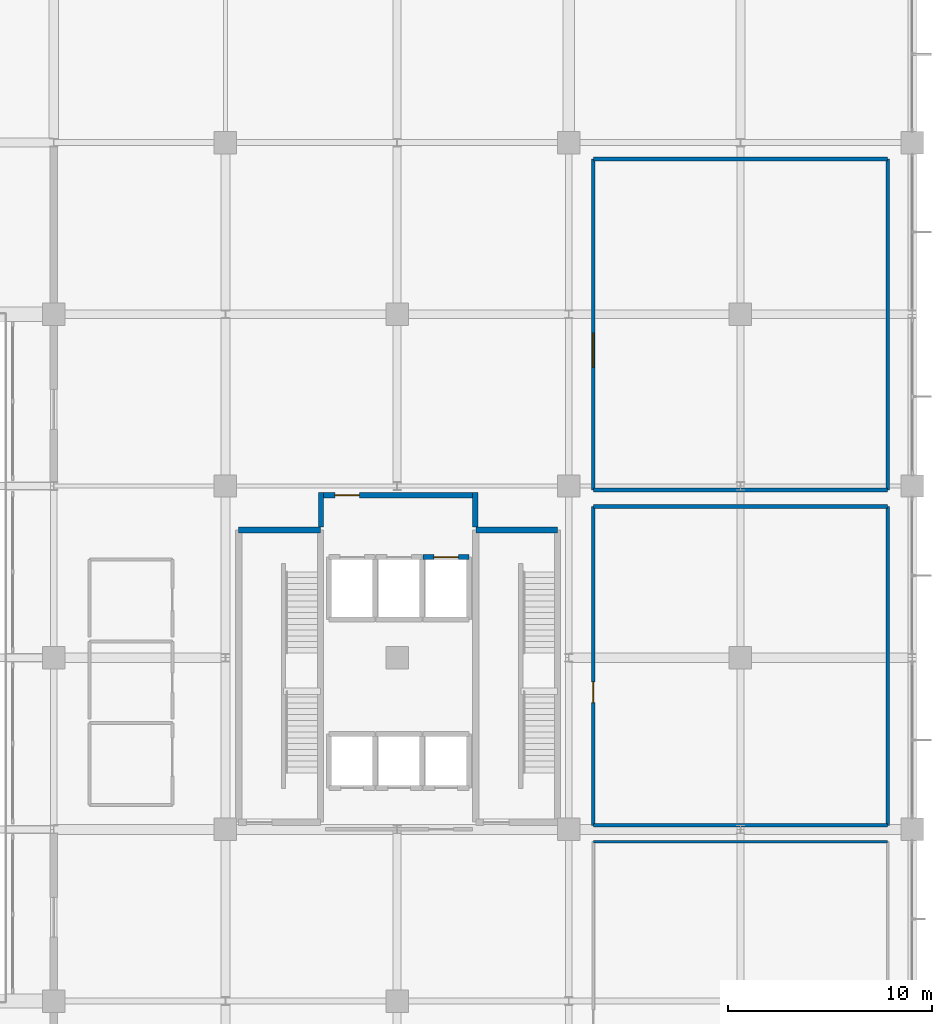
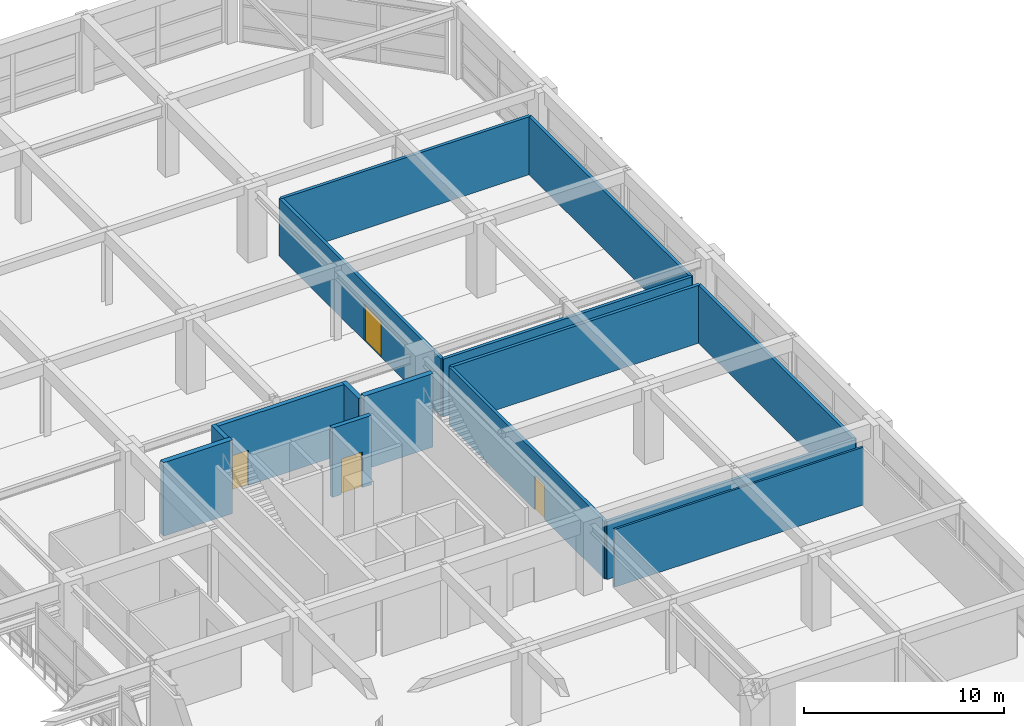
# One storey, part 53 of 62: 15 walls, 4 doors, 4 openings.
"""IFC4 building model written with IfcOpenShell, lengths in metres."""

import ifcopenshell
import ifcopenshell.guid

model = None  # the IFC model being written
_history = None  # IfcOwnerHistory: only IFC2X3 demands one
_inside = {}  # id of a spatial element -> (the spatial element, [elements in it])
_under = {}  # id of a project, library or spatial element -> (it, [spatial elements below it])
_declared = {}  # id of a project -> (the project, [libraries it declares])
_typed = {}  # id of a type object -> (the type object, [elements of that type])
_made_of = {}  # id of a material, layer set ... -> (it, [elements and type objects made of it])


def new_model(schema):
    """Start an empty IFC model of exactly this schema.

    Asked for "IFC4X3", IfcOpenShell would pick the latest addendum, in which some entities
    have other attributes; the version numbers below select the first issue.
    IFC2X3 requires an IfcOwnerHistory on every rooted entity: one is made here for all.
    """
    global model, _history
    if schema == "IFC4X3":
        model = ifcopenshell.file(schema_version=(4, 3, 0, 0))
    else:
        model = ifcopenshell.file(schema=schema)
    _inside.clear()
    _under.clear()
    _declared.clear()
    _typed.clear()
    _made_of.clear()
    _history = None
    if model.schema == "IFC2X3":
        org = make("IfcOrganization", Name="unknown")
        user = make(
            "IfcPersonAndOrganization",
            ThePerson=make("IfcPerson", FamilyName="unknown"),
            TheOrganization=org,
        )
        app = make(
            "IfcApplication",
            ApplicationDeveloper=org,
            Version="unknown",
            ApplicationFullName="unknown",
            ApplicationIdentifier="unknown",
        )
        _history = make(
            "IfcOwnerHistory",
            OwningUser=user,
            OwningApplication=app,
            ChangeAction="ADDED",
            CreationDate=0,
        )
    return model


def make(cls, **values):
    """One entity of the class cls with the attributes given. An attribute that is None is left unset."""
    return model.create_entity(
        cls, **{name: value for name, value in values.items() if value is not None}
    )


def rooted(cls, **values):
    """An entity with a GlobalId (a new one), such as an element, a storey or a relation."""
    return make(cls, GlobalId=ifcopenshell.guid.new(), OwnerHistory=_history, **values)


def si_unit(unit_type, name, prefix=None):
    """IfcSIUnit, for example si_unit("LENGTHUNIT", "METRE", prefix="MILLI")."""
    return make("IfcSIUnit", UnitType=unit_type, Prefix=prefix, Name=name)


def assignment(units):
    """IfcUnitAssignment: the units of a project."""
    return None if units is None else make("IfcUnitAssignment", Units=units)


def point(xyz):
    """IfcCartesianPoint."""
    return None if xyz is None else make("IfcCartesianPoint", Coordinates=xyz)


def direction(xyz):
    """IfcDirection."""
    return None if xyz is None else make("IfcDirection", DirectionRatios=xyz)


def frame(location, z_axis=None, x_axis=None):
    """IfcAxis2Placement3D, a coordinate frame: its origin and axes. An axis left out is left unset."""
    return make(
        "IfcAxis2Placement3D",
        Location=point(location),
        Axis=direction(z_axis),
        RefDirection=direction(x_axis),
    )


def frame_2d(location, x_axis=None):
    """IfcAxis2Placement2D, a coordinate frame in the plane: its origin and x axis."""
    return make(
        "IfcAxis2Placement2D", Location=point(location), RefDirection=direction(x_axis)
    )


def origin():
    """The frame at (0, 0, 0) with its axes left unset."""
    return frame((0.0, 0.0, 0.0))


def place(relative_to, where):
    """IfcLocalPlacement: puts the frame where relative to a parent placement (None: the world)."""
    return make(
        "IfcLocalPlacement", PlacementRelTo=relative_to, RelativePlacement=where
    )


def context(
    kind, dimensions, precision=None, world=None, true_north=None, identifier=None
):
    """IfcGeometricRepresentationContext, for example the 3D "Model" context."""
    return make(
        "IfcGeometricRepresentationContext",
        ContextIdentifier=identifier,
        ContextType=kind,
        CoordinateSpaceDimension=dimensions,
        Precision=precision,
        WorldCoordinateSystem=world,
        TrueNorth=true_north,
    )


def subcontext(parent, identifier, kind, view, scale=None):
    """IfcGeometricRepresentationSubContext, for example "Body" below "Model"."""
    return make(
        "IfcGeometricRepresentationSubContext",
        ContextIdentifier=identifier,
        ContextType=kind,
        ParentContext=parent,
        TargetScale=scale,
        TargetView=view,
    )


def project(units=None, contexts=None):
    """IfcProject with its units and contexts."""
    return rooted(
        "IfcProject",
        Name="project",
        RepresentationContexts=contexts,
        UnitsInContext=assignment(units),
    )


def spatial(cls, under=None, at=None, **own):
    """A site, building, storey or space (cls), placed at a placement, below another one or the project."""
    s = rooted(cls, ObjectPlacement=at, **own)
    if under is not None:
        _under.setdefault(under.id(), (under, []))[1].append(s)
    return s


def profile(cls, at=None, kind="AREA", **sizes):
    """A parametric profile (cls). Its sizes go by their IFC names, for example OverallWidth=200.0."""
    return make(cls, ProfileType=kind, Position=at, **sizes)


def rectangle(**sizes):
    """IfcRectangleProfileDef."""
    return profile("IfcRectangleProfileDef", **sizes)


def extrude(swept, where, along, depth):
    """IfcExtrudedAreaSolid: the profile swept, set in the frame where, extruded along a direction by depth."""
    return make(
        "IfcExtrudedAreaSolid",
        SweptArea=swept,
        Position=where,
        ExtrudedDirection=direction(along),
        Depth=depth,
    )


def shape(context_of_items, identifier, shape_type, items):
    """IfcShapeRepresentation: the items that make up one representation, for example the "Body"."""
    return make(
        "IfcShapeRepresentation",
        ContextOfItems=context_of_items,
        RepresentationIdentifier=identifier,
        RepresentationType=shape_type,
        Items=items,
    )


def material(Name=None, Category=None):
    """IfcMaterial."""
    return make("IfcMaterial", Name=Name, Category=Category)


def layer(
    of_material, thickness, ventilated=None, Name=None, Category=None, Priority=None
):
    """IfcMaterialLayer: one layer of a wall or slab, of a material (None: an air gap)."""
    return make(
        "IfcMaterialLayer",
        Material=of_material,
        LayerThickness=thickness,
        IsVentilated=ventilated,
        Name=Name,
        Category=Category,
        Priority=Priority,
    )


def layer_set(layers, Name=None):
    """IfcMaterialLayerSet."""
    return make("IfcMaterialLayerSet", MaterialLayers=layers, LayerSetName=Name)


def made_of(thing, what):
    """Note that an element or type object is made of a material, layer set ...; save() writes the relation."""
    if what is not None:
        _made_of.setdefault(what.id(), (what, []))[1].append(thing)
    return thing


def type_object(cls, material=None, **own):
    """A type object (cls), such as IfcWallType, which elements share."""
    return made_of(rooted(cls, **own), material)


def element(
    cls,
    number,
    at=None,
    inside=None,
    cuts=None,
    type_object=None,
    material=None,
    context=None,
    identifier="Body",
    shape_type=None,
    held_by="IfcProductDefinitionShape",
    body=None,
    shapes=None,
    **own,
):
    """One element of the class cls, such as IfcWall. Its Tag is "e" and its number.

    at: its placement. inside: the storey or other place that contains it. cuts: it is an
    opening in that element (IfcRelVoidsElement). A single representation is given by context,
    identifier, shape_type and body (its items); several are given by shapes. held_by: the class
    of the entity that holds the representations. save() writes the other relations.
    """
    e = rooted(cls, Tag="e%d" % number, ObjectPlacement=at, **own)
    if body is not None:
        shapes = [shape(context, identifier, shape_type, body)]
    if shapes is not None:
        e.Representation = make(held_by, Representations=shapes)
    if inside is not None:
        _inside.setdefault(inside.id(), (inside, []))[1].append(e)
    if cuts is not None:
        rooted(
            "IfcRelVoidsElement", RelatingBuildingElement=cuts, RelatedOpeningElement=e
        )
    if type_object is not None:
        _typed.setdefault(type_object.id(), (type_object, []))[1].append(e)
    return made_of(e, material)


def fill(opening, filler):
    """IfcRelFillsElement: the door or window that sits in an opening."""
    return rooted(
        "IfcRelFillsElement",
        RelatingOpeningElement=opening,
        RelatedBuildingElement=filler,
    )


def aggregate(whole, parts):
    """IfcRelAggregates: a whole, such as a stair, and the parts it consists of."""
    return rooted("IfcRelAggregates", RelatingObject=whole, RelatedObjects=parts)


def save(model, path):
    """Write the relations noted so far, then the file.

    IfcRelAggregates (storeys below a building ...), IfcRelContainedInSpatialStructure (elements
    in a storey), IfcRelDefinesByType, IfcRelAssociatesMaterial and IfcRelDeclares: one each for
    every whole, place, type object, material and project.
    """
    for whole, parts in _under.values():
        aggregate(whole, parts)
    for where, things in _inside.values():
        rooted(
            "IfcRelContainedInSpatialStructure",
            RelatedElements=things,
            RelatingStructure=where,
        )
    for kind, things in _typed.values():
        rooted("IfcRelDefinesByType", RelatedObjects=things, RelatingType=kind)
    for what, things in _made_of.values():
        rooted("IfcRelAssociatesMaterial", RelatedObjects=things, RelatingMaterial=what)
    for by, libraries in _declared.values():
        rooted("IfcRelDeclares", RelatingContext=by, RelatedDefinitions=libraries)
    model.write(path)


model = new_model("IFC4")

# Units and contexts
model_context = context("Model", 3, precision=1e-05, world=origin(), true_north=direction((0.0, 1.0)))
body_context = subcontext(model_context, "Body", "Model", "MODEL_VIEW")
ifc_project = project(units=[si_unit("LENGTHUNIT", "METRE"), si_unit("AREAUNIT", "SQUARE_METRE"), si_unit("VOLUMEUNIT", "CUBIC_METRE"), si_unit("PLANEANGLEUNIT", "RADIAN"), si_unit("MASSUNIT", "GRAM", prefix="KILO")], contexts=[model_context])

# Site, building, storey
site_placement = place(None, origin())
site = spatial("IfcSite", under=ifc_project, at=site_placement, CompositionType="ELEMENT")
building_placement = place(site_placement, origin())
building = spatial("IfcBuilding", under=site, at=building_placement, Name="Xuanlan Plaza Opera House", CompositionType="ELEMENT")
storey_placement = place(building_placement, frame((0.0, 0.0, 14.39990234375)))
storey = spatial("IfcBuildingStorey", under=building, at=storey_placement, Name="L03", CompositionType="ELEMENT", Elevation=14.39990234375)

# Walls
ifc_material_1 = material(Name="Gypsum Board and Galvanised Steel Studs", Category="gypsum")
ifc_layer_1 = layer(ifc_material_1, 0.179931640625)
ifc_layer_set_1 = layer_set([ifc_layer_1], Name="Gypsum Board and Galvanised Steel Studs")
wall_type_1 = type_object("IfcWallType", Name="INT-WL-PW-02", PredefinedType="PARTITIONING", material=ifc_layer_set_1)
for number, where, z_axis, x_axis, name in (
    (1, (152.39990234375, 50.60009765625, 0.0), (0.0, 0.0, 1.0), (1.0, 0.0, 0.0), "Stage Design Atelier 2 Wall South"),
    (2, (152.39990234375, 66.199951171875, 0.0), (0.0, 0.0, 1.0), (1.0, 0.0, 0.0), "Stage Design Atelier 2 Wall North"),
):
    element("IfcWall", number, at=place(storey_placement, frame(where, z_axis=z_axis, x_axis=x_axis)), inside=storey, type_object=wall_type_1, Name=name, PredefinedType="PARTITIONING", context=body_context, shape_type="SweptSolid", body=[
        extrude(rectangle(XDim=14.400146484375, YDim=0.179931640625, at=frame_2d((7.2001953125, 0.0))), origin(), (0.0, 0.0, 1.0), 3.5400390625),
    ])

# Wall, opening, door
wall_1_placement = place(storey_placement, frame((152.39990234375, 50.60009765625, 0.0), z_axis=(0.0, 0.0, 1.0), x_axis=(0.0, 1.0, 0.0)))
wall_1 = element("IfcWall", 3, at=wall_1_placement, inside=storey, type_object=wall_type_1, Name="Stage Design Atelier 2 Wall West", PredefinedType="PARTITIONING", context=body_context, shape_type="SweptSolid", body=[
    extrude(rectangle(XDim=15.599853515625, YDim=0.179931640625, at=frame_2d((7.7998046875, 0.0))), origin(), (0.0, 0.0, 1.0), 3.5400390625),
])
opening_1_placement = place(wall_1_placement, frame((6.0, 0.0, 0.0)))
opening_1 = element("IfcOpeningElement", 4, at=opening_1_placement, cuts=wall_1, Name="Opening D-02", PredefinedType="OPENING", context=body_context, shape_type="SweptSolid", body=[
    extrude(rectangle(XDim=1.02001953125, YDim=2.10009765625, at=frame_2d((0.510009765625, 1.050048828125))), frame((0.0, 0.099853515625, 0.0), z_axis=(0.0, -1.0, 0.0), x_axis=(1.0, 0.0, 0.0)), (0.0, 0.0, 1.0), 0.199951171875),
])
ifc_material_2 = material(Name="Oak Hardwood Timber", Category="wood")
door_type_1 = type_object("IfcDoorType", Name="INT-DR-D-02", OperationType="NOTDEFINED", PredefinedType="DOOR", material=ifc_material_2)
door_1_placement = place(opening_1_placement, origin())
door_1 = element("IfcDoor", 5, at=door_1_placement, inside=storey, type_object=door_type_1, Name="Stage Design Atelier 2 Door 1", OperationType="SINGLE_SWING_LEFT", OverallHeight=2.10009765625, OverallWidth=1.02001953125, PredefinedType="DOOR", context=body_context, shape_type="SweptSolid", body=[
    extrude(rectangle(XDim=1.02001953125, YDim=2.10009765625, at=frame_2d((0.510009765625, 1.050048828125))), frame((0.0, 0.02490234375, 0.0), z_axis=(0.0, -1.0, 0.0), x_axis=(1.0, 0.0, 0.0)), (0.0, 0.0, 1.0), 0.050048828125),
])
fill(opening_1, door_1)

# Walls
wall_2_placement = place(storey_placement, frame((166.800048828125, 50.60009765625, 0.0), z_axis=(0.0, 0.0, 1.0), x_axis=(0.0, 1.0, 0.0)))
element("IfcWall", 6, at=wall_2_placement, inside=storey, type_object=wall_type_1, Name="Stage Design Atelier 2 Wall East", PredefinedType="PARTITIONING", context=body_context, shape_type="SweptSolid", body=[
    extrude(rectangle(XDim=15.599853515625, YDim=0.179931640625, at=frame_2d((7.7998046875, 0.0))), origin(), (0.0, 0.0, 1.0), 3.5400390625),
])
for number, where, z_axis, x_axis, name in (
    (7, (152.39990234375, 67.0, 0.0), (0.0, 0.0, 1.0), (1.0, 0.0, 0.0), "Stage Design Atelier 3 Wall South"),
    (8, (152.39990234375, 83.199951171875, 0.0), (0.0, 0.0, 1.0), (1.0, 0.0, 0.0), "Stage Design Atelier 3 Wall North"),
):
    element("IfcWall", number, at=place(storey_placement, frame(where, z_axis=z_axis, x_axis=x_axis)), inside=storey, type_object=wall_type_1, Name=name, PredefinedType="PARTITIONING", context=body_context, shape_type="SweptSolid", body=[
        extrude(rectangle(XDim=14.400146484375, YDim=0.179931640625, at=frame_2d((7.2001953125, 0.0))), origin(), (0.0, 0.0, 1.0), 3.5400390625),
    ])

# Wall, opening, door
wall_3_placement = place(storey_placement, frame((152.39990234375, 67.0, 0.0), z_axis=(0.0, 0.0, 1.0), x_axis=(0.0, 1.0, 0.0)))
wall_3 = element("IfcWall", 9, at=wall_3_placement, inside=storey, type_object=wall_type_1, Name="Stage Design Atelier 3 Wall West", PredefinedType="PARTITIONING", context=body_context, shape_type="SweptSolid", body=[
    extrude(rectangle(XDim=16.199951171875, YDim=0.179931640625, at=frame_2d((8.10009765625, 0.0))), origin(), (0.0, 0.0, 1.0), 3.5400390625),
])
opening_2_placement = place(wall_3_placement, frame((6.0, 0.0, 0.0)))
opening_2 = element("IfcOpeningElement", 10, at=opening_2_placement, cuts=wall_3, Name="Opening D-14", PredefinedType="OPENING", context=body_context, shape_type="SweptSolid", body=[
    extrude(rectangle(XDim=1.679931640625, YDim=2.239990234375, at=frame_2d((0.83984375, 1.1201171875))), frame((0.0, 0.099853515625, 0.0), z_axis=(0.0, -1.0, 0.0), x_axis=(1.0, 0.0, 0.0)), (0.0, 0.0, 1.0), 0.199951171875),
])
door_type_2 = type_object("IfcDoorType", Name="INT-DR-D-14", OperationType="DOUBLE_DOOR_SINGLE_SWING", PredefinedType="DOOR", material=ifc_material_2)
door_2_placement = place(opening_2_placement, origin())
door_2 = element("IfcDoor", 11, at=door_2_placement, inside=storey, type_object=door_type_2, Name="Stage Design Atelier 3 Door 1", OperationType="DOUBLE_DOOR_SINGLE_SWING", OverallHeight=2.239990234375, OverallWidth=1.679931640625, PredefinedType="DOOR", context=body_context, shape_type="SweptSolid", body=[
    extrude(rectangle(XDim=1.679931640625, YDim=2.239990234375, at=frame_2d((0.83984375, 1.1201171875))), frame((0.0, 0.02490234375, 0.0), z_axis=(0.0, -1.0, 0.0), x_axis=(1.0, 0.0, 0.0)), (0.0, 0.0, 1.0), 0.050048828125),
])
fill(opening_2, door_2)

# Walls
wall_4_placement = place(storey_placement, frame((166.800048828125, 67.0, 0.0), z_axis=(0.0, 0.0, 1.0), x_axis=(0.0, 1.0, 0.0)))
element("IfcWall", 12, at=wall_4_placement, inside=storey, type_object=wall_type_1, Name="Stage Design Atelier 3 Wall East", PredefinedType="PARTITIONING", context=body_context, shape_type="SweptSolid", body=[
    extrude(rectangle(XDim=16.199951171875, YDim=0.179931640625, at=frame_2d((8.10009765625, 0.0))), origin(), (0.0, 0.0, 1.0), 3.5400390625),
])
ifc_layer_2 = layer(ifc_material_1, 0.1201171875)
ifc_layer_set_2 = layer_set([ifc_layer_2], Name="Gypsum Board and Galvanised Steel Studs")
wall_type_2 = type_object("IfcWallType", Name="INT-WL-PW-04", PredefinedType="PARTITIONING", material=ifc_layer_set_2)
wall_5_placement = place(storey_placement, frame((152.39990234375, 49.800048828125, 0.0), z_axis=(0.0, 0.0, 1.0), x_axis=(1.0, 0.0, 0.0)))
element("IfcWall", 13, at=wall_5_placement, inside=storey, type_object=wall_type_2, Name="Stage Design Atelier 1 Wall North", PredefinedType="PARTITIONING", context=body_context, shape_type="SweptSolid", body=[
    extrude(rectangle(XDim=14.400146484375, YDim=0.1201171875, at=frame_2d((7.2001953125, 0.0))), origin(), (0.0, 0.0, 1.0), 3.5400390625),
])

# Wall, opening, door
ifc_material_3 = material(Name="Concrete C40", Category="concrete")
ifc_layer_3 = layer(ifc_material_3, 0.25)
ifc_layer_set_3 = layer_set([ifc_layer_3], Name="Concrete C40")
wall_type_3 = type_object("IfcWallType", Name="INT-WL-SW-LF1", PredefinedType="SHEAR", material=ifc_layer_set_3)
wall_6_placement = place(storey_placement, frame((144.074951171875, 63.72509765625, 0.0), z_axis=(0.0, 0.0, 1.0), x_axis=(1.0, 0.0, 0.0)))
wall_6 = element("IfcWall", 14, at=wall_6_placement, inside=storey, type_object=wall_type_3, Name="Lift Shaft Wall LF-FF3 L03 North", PredefinedType="SHEAR", context=body_context, shape_type="SweptSolid", body=[
    extrude(rectangle(XDim=2.25, YDim=0.25, at=frame_2d((1.125, 0.0))), origin(), (0.0, 0.0, 1.0), 4.239990234375),
])
opening_3_placement = place(wall_6_placement, frame((0.52490234375, 0.0, 0.0)))
opening_3 = element("IfcOpeningElement", 15, at=opening_3_placement, cuts=wall_6, Name="Opening LD-FF3-L03", PredefinedType="OPENING", context=body_context, shape_type="SweptSolid", body=[
    extrude(rectangle(XDim=1.199951171875, YDim=2.179931640625, at=frame_2d((0.60009765625, 1.08984375))), frame((0.0, 0.135009765625, 0.0), z_axis=(0.0, -1.0, 0.0), x_axis=(1.0, 0.0, 0.0)), (0.0, 0.0, 1.0), 0.27001953125),
])
ifc_material_4 = material(Name="Stainless Steel S30408", Category="steel")
door_type_3 = type_object("IfcDoorType", Name="INT-DR-LD-02", OperationType="DOUBLE_DOOR_SLIDING", PredefinedType="DOOR", material=ifc_material_4)
door_3_placement = place(opening_3_placement, origin())
door_3 = element("IfcDoor", 16, at=door_3_placement, inside=storey, type_object=door_type_3, Name="Lift Sliding Landing Door LF-FF3 L03", OperationType="DOUBLE_DOOR_SLIDING", OverallHeight=2.179931640625, OverallWidth=1.199951171875, PredefinedType="DOOR", context=body_context, shape_type="SweptSolid", body=[
    extrude(rectangle(XDim=1.199951171875, YDim=2.179931640625, at=frame_2d((0.60009765625, 1.08984375))), frame((0.0, 0.02490234375, 0.0), z_axis=(0.0, -1.0, 0.0), x_axis=(1.0, 0.0, 0.0)), (0.0, 0.0, 1.0), 0.050048828125),
])
fill(opening_3, door_3)

# Walls
for number, where, z_axis, x_axis, name in (
    (17, (139.074951171875, 65.199951171875, 0.0), (0.0, 0.0, 1.0), (0.0, 1.0, 0.0), "Firefighting Lift Lobby Enclosure Wall L03 W"),
    (18, (146.625, 65.199951171875, 0.0), (0.0, 0.0, 1.0), (0.0, 1.0, 0.0), "Firefighting Lift Lobby Enclosure Wall L03 E"),
):
    element("IfcWall", number, at=place(storey_placement, frame(where, z_axis=z_axis, x_axis=x_axis)), inside=storey, type_object=wall_type_3, Name=name, PredefinedType="SHEAR", context=body_context, shape_type="SweptSolid", body=[
        extrude(rectangle(XDim=1.675048828125, YDim=0.25, at=frame_2d((0.83740234375, 0.0))), origin(), (0.0, 0.0, 1.0), 4.239990234375),
    ])

# Wall, opening, door
wall_7_placement = place(storey_placement, frame((139.199951171875, 66.75, 0.0), z_axis=(0.0, 0.0, 1.0), x_axis=(1.0, 0.0, 0.0)))
wall_7 = element("IfcWall", 19, at=wall_7_placement, inside=storey, type_object=wall_type_3, Name="Firefighting Lift Lobby Wall North", PredefinedType="SHEAR", context=body_context, shape_type="SweptSolid", body=[
    extrude(rectangle(XDim=7.300048828125, YDim=0.25, at=frame_2d((3.64990234375, 0.0))), origin(), (0.0, 0.0, 1.0), 4.239990234375),
])
opening_4_placement = place(wall_7_placement, frame((0.550048828125, 0.0, 0.0)))
opening_4 = element("IfcOpeningElement", 20, at=opening_4_placement, cuts=wall_7, Name="Opening FD-02", PredefinedType="OPENING", context=body_context, shape_type="SweptSolid", body=[
    extrude(rectangle(XDim=1.199951171875, YDim=2.14990234375, at=frame_2d((0.60009765625, 1.074951171875))), frame((0.0, 0.135009765625, 0.0), z_axis=(0.0, -1.0, 0.0), x_axis=(1.0, 0.0, 0.0)), (0.0, 0.0, 1.0), 0.27001953125),
])
ifc_material_5 = material(Name="Galvanised Steel Q235B", Category="steel")
door_type_4 = type_object("IfcDoorType", Name="INT-DR-FD-02", OperationType="NOTDEFINED", PredefinedType="DOOR", material=ifc_material_5)
door_4_placement = place(opening_4_placement, origin())
door_4 = element("IfcDoor", 21, at=door_4_placement, inside=storey, type_object=door_type_4, Name="Firefighting Lift Lobby Door 1", OperationType="SINGLE_SWING_RIGHT", OverallHeight=2.14990234375, OverallWidth=1.199951171875, PredefinedType="DOOR", context=body_context, shape_type="SweptSolid", body=[
    extrude(rectangle(XDim=1.199951171875, YDim=2.14990234375, at=frame_2d((0.60009765625, 1.074951171875))), frame((0.0, 0.02490234375, 0.0), z_axis=(0.0, -1.0, 0.0), x_axis=(1.0, 0.0, 0.0)), (0.0, 0.0, 1.0), 0.050048828125),
])
fill(opening_4, door_4)

# Walls
ifc_layer_4 = layer(ifc_material_3, 0.300048828125)
ifc_layer_set_4 = layer_set([ifc_layer_4], Name="Concrete C40")
wall_type_4 = type_object("IfcWallType", Name="INT-WL-SW-ST1", PredefinedType="SHEAR", material=ifc_layer_set_4)
for number, where, z_axis, x_axis, name in (
    (22, (135.050048828125, 65.050048828125, 0.0), (0.0, 0.0, 1.0), (1.0, 0.0, 0.0), "Stair Core Wall ST-T1 L03 North"),
    (23, (146.64990234375, 65.050048828125, 0.0), (0.0, 0.0, 1.0), (1.0, 0.0, 0.0), "Stair Core Wall ST-T2 L03 North"),
):
    element("IfcWall", number, at=place(storey_placement, frame(where, z_axis=z_axis, x_axis=x_axis)), inside=storey, type_object=wall_type_4, Name=name, PredefinedType="SHEAR", context=body_context, shape_type="SweptSolid", body=[
        extrude(rectangle(XDim=4.0, YDim=0.300048828125, at=frame_2d((2.0, 0.0))), origin(), (0.0, 0.0, 1.0), 4.5),
    ])

save(model, "model.ifc")
